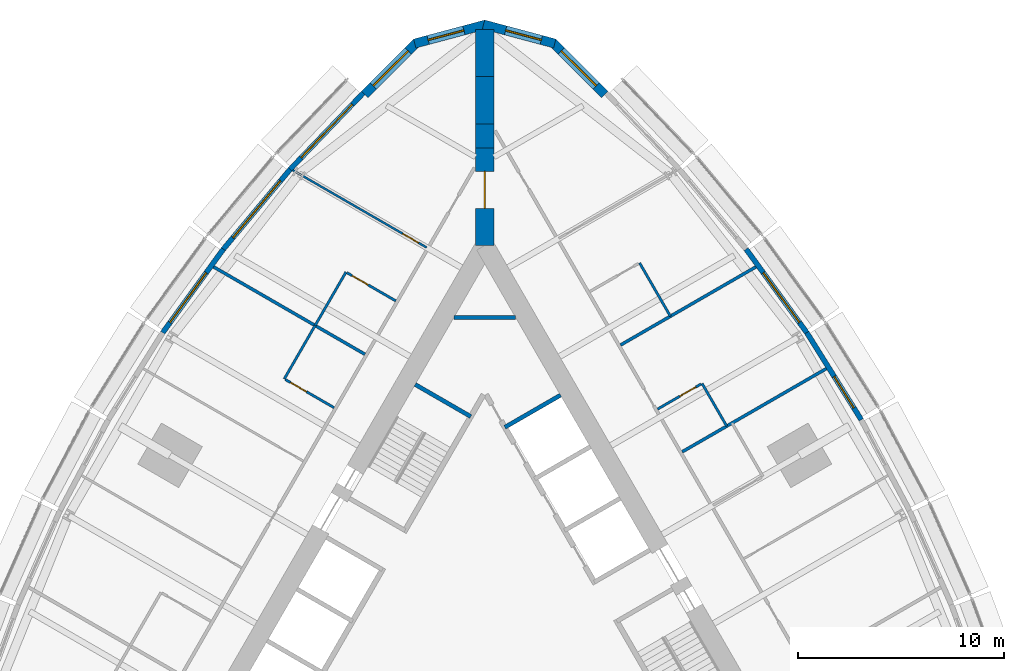
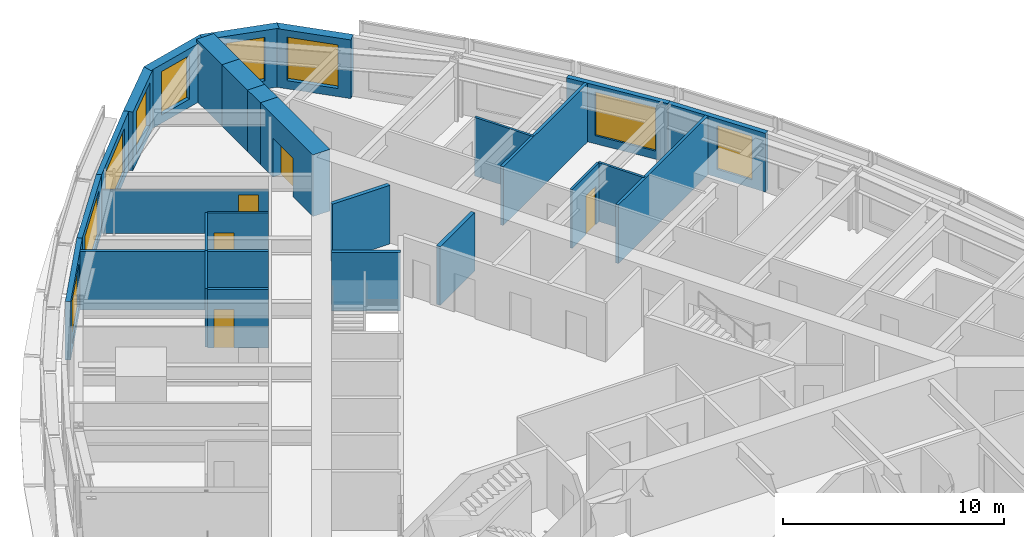
# One storey, part 12 of 14: 27 walls, 9 windows, 5 doors, 14 openings.
"""IFC4 building model written with IfcOpenShell, lengths in metres."""

from ifc_helpers import new_model, si_unit, direction, frame, frame_2d, origin, place, context, subcontext, project, spatial, polyline, rectangle, outline, extrude, material, layer, layer_set, type_object, element, fill, save


model = new_model("IFC4")

# Units and contexts
model_context = context("Model", 3, precision=1e-05, world=origin(), true_north=direction((0.0, 1.0)))
body_context = subcontext(model_context, "Body", "Model", "MODEL_VIEW")
ifc_project = project(units=[si_unit("LENGTHUNIT", "METRE"), si_unit("AREAUNIT", "SQUARE_METRE"), si_unit("VOLUMEUNIT", "CUBIC_METRE"), si_unit("PLANEANGLEUNIT", "RADIAN"), si_unit("MASSUNIT", "GRAM", prefix="KILO")], contexts=[model_context])

# Site, building, storey
site_placement = place(None, origin())
site = spatial("IfcSite", under=ifc_project, at=site_placement, CompositionType="ELEMENT")
building_placement = place(site_placement, origin())
building = spatial("IfcBuilding", under=site, at=building_placement, Name="Trikona Tower", CompositionType="ELEMENT")
storey_placement = place(building_placement, frame((0.0, 0.0, 165.699951171875)))
storey = spatial("IfcBuildingStorey", under=building, at=storey_placement, Name="L44", CompositionType="ELEMENT", Elevation=165.699951171875)

# Wall
ifc_material_1 = material(Name="Metal stud and cement board", Category="gypsum")
ifc_layer_1 = layer(ifc_material_1, 0.1201171875)
ifc_layer_set_1 = layer_set([ifc_layer_1], Name="Bathroom wall 120")
wall_type_1 = type_object("IfcWallType", Name="Bathroom wall 120", PredefinedType="PLUMBINGWALL", material=ifc_layer_set_1)
wall_1_placement = place(storey_placement, frame((11.77294921875, 10.26123046875, 0.0), z_axis=(0.0, 0.0, 1.0), x_axis=(-0.500001309137, 0.866024647952, 0.0)))
element("IfcWall", 1, at=wall_1_placement, inside=storey, type_object=wall_type_1, Name="Bathroom wall 4408", PredefinedType="PLUMBINGWALL", context=body_context, shape_type="SweptSolid", body=[
    extrude(rectangle(XDim=2.39990234375, YDim=0.1201171875, at=frame_2d((1.199951171875, 0.0))), origin(), (0.0, 0.0, 1.0), 3.235107421875),
])

# Wall, opening, door
wall_2_placement = place(storey_placement, frame((8.407958984375, 11.089599609375, 0.0), z_axis=(0.0, 0.0, 1.0), x_axis=(0.865980627057, 0.500077547548, 0.0)))
wall_2 = element("IfcWall", 2, at=wall_2_placement, inside=storey, type_object=wall_type_1, Name="Bathroom wall 4408", PredefinedType="PLUMBINGWALL", context=body_context, shape_type="SweptSolid", body=[
    extrude(rectangle(XDim=2.43994140625, YDim=0.1201171875, at=frame_2d((1.219970703125, 0.0))), origin(), (0.0, 0.0, 1.0), 3.235107421875),
])
opening_1_placement = place(wall_2_placement, frame((1.25, 0.0, 0.0)))
opening_1 = element("IfcOpeningElement", 3, at=opening_1_placement, cuts=wall_2, Name="Opening D2", PredefinedType="OPENING", context=body_context, shape_type="SweptSolid", body=[
    extrude(rectangle(XDim=0.89990234375, YDim=2.1298828125, at=frame_2d((0.449951171875, 1.06494140625))), frame((0.0, 0.070068359375, 0.0), z_axis=(0.0, -1.0, 0.0), x_axis=(1.0, 0.0, 0.0)), (0.0, 0.0, 1.0), 0.14013671875),
])
ifc_material_2 = material(Name="Steel door frame with solid-core timber leaf", Category="steel")
door_type_1 = type_object("IfcDoorType", Name="Bathroom door 900x2130", OperationType="SLIDING_TO_LEFT", PredefinedType="DOOR", material=ifc_material_2)
door_1_placement = place(opening_1_placement, origin())
door_1 = element("IfcDoor", 4, at=door_1_placement, inside=storey, type_object=door_type_1, Name="Bathroom door 4408", OperationType="SLIDING_TO_LEFT", OverallHeight=2.1298828125, OverallWidth=0.89990234375, PredefinedType="DOOR", context=body_context, shape_type="SweptSolid", body=[
    extrude(rectangle(XDim=0.89990234375, YDim=2.1298828125, at=frame_2d((0.449951171875, 1.06494140625))), frame((0.0, 0.02490234375, 0.0), z_axis=(0.0, -1.0, 0.0), x_axis=(1.0, 0.0, 0.0)), (0.0, 0.0, 1.0), 0.050048828125),
])
fill(opening_1, door_1)

# Walls
for number, where, z_axis, x_axis, name in (
    (5, (9.03271484375, 15.607421875, 0.0), (0.0, 0.0, 1.0), (-0.50002537861, 0.866010750942, 0.0), "Bathroom wall 4409.1"),
    (6, (-6.75341796875, 17.75537109375, 0.0), (0.0, 0.0, 1.0), (-0.50002537861, -0.866010750942, 0.0), "Bathroom wall 4410.1"),
):
    element("IfcWall", number, at=place(storey_placement, frame(where, z_axis=z_axis, x_axis=x_axis)), inside=storey, type_object=wall_type_1, Name=name, PredefinedType="PLUMBINGWALL", context=body_context, shape_type="SweptSolid", body=[
        extrude(rectangle(XDim=2.999755859375, YDim=0.1201171875, at=frame_2d((1.5, 0.0))), origin(), (0.0, 0.0, 1.0), 3.235107421875),
    ])

# Wall, opening, door
wall_3_placement = place(storey_placement, frame((-4.32861328125, 16.35546875, 0.0), z_axis=(0.0, 0.0, 1.0), x_axis=(-0.866035715982, 0.499982138324, 0.0)))
wall_3 = element("IfcWall", 7, at=wall_3_placement, inside=storey, type_object=wall_type_1, Name="Bathroom wall 4410.1", PredefinedType="PLUMBINGWALL", context=body_context, shape_type="SweptSolid", body=[
    extrude(rectangle(XDim=2.73974609375, YDim=0.1201171875, at=frame_2d((1.369873046875, 0.0))), origin(), (0.0, 0.0, 1.0), 3.235107421875),
])
opening_2_placement = place(wall_3_placement, frame((1.550048828125, 0.0, 0.0)))
opening_2 = element("IfcOpeningElement", 8, at=opening_2_placement, cuts=wall_3, Name="Opening D2", PredefinedType="OPENING", context=body_context, shape_type="SweptSolid", body=[
    extrude(rectangle(XDim=0.89990234375, YDim=2.1298828125, at=frame_2d((0.449951171875, 1.06494140625))), frame((0.0, 0.070068359375, 0.0), z_axis=(0.0, -1.0, 0.0), x_axis=(1.0, 0.0, 0.0)), (0.0, 0.0, 1.0), 0.14013671875),
])
door_2_placement = place(opening_2_placement, origin())
door_2 = element("IfcDoor", 9, at=door_2_placement, inside=storey, type_object=door_type_1, Name="Bathroom door 4410.1", OperationType="SLIDING_TO_LEFT", OverallHeight=2.1298828125, OverallWidth=0.89990234375, PredefinedType="DOOR", context=body_context, shape_type="SweptSolid", body=[
    extrude(rectangle(XDim=0.89990234375, YDim=2.1298828125, at=frame_2d((0.449951171875, 1.06494140625))), frame((0.0, 0.02490234375, 0.0), z_axis=(0.0, -1.0, 0.0), x_axis=(1.0, 0.0, 0.0)), (0.0, 0.0, 1.0), 0.050048828125),
])
fill(opening_2, door_2)

# Wall
wall_4_placement = place(storey_placement, frame((-8.25341796875, 15.157470703125, 0.0), z_axis=(0.0, 0.0, 1.0), x_axis=(-0.499990139034, -0.866031096941, 0.0)))
element("IfcWall", 10, at=wall_4_placement, inside=storey, type_object=wall_type_1, Name="Bathroom wall 4411.1", PredefinedType="PLUMBINGWALL", context=body_context, shape_type="SweptSolid", body=[
    extrude(rectangle(XDim=3.0, YDim=0.1201171875, at=frame_2d((1.5, 0.0))), origin(), (0.0, 0.0, 1.0), 3.235107421875),
])

# Wall, opening, door
wall_5_placement = place(storey_placement, frame((-7.32861328125, 11.1591796875, 0.0), z_axis=(0.0, 0.0, 1.0), x_axis=(-0.865997131366, 0.500048966069, 0.0)))
wall_5 = element("IfcWall", 11, at=wall_5_placement, inside=storey, type_object=wall_type_1, Name="Bathroom wall 4411.1", PredefinedType="PLUMBINGWALL", context=body_context, shape_type="SweptSolid", body=[
    extrude(rectangle(XDim=2.739990234375, YDim=0.1201171875, at=frame_2d((1.3701171875, 0.0))), origin(), (0.0, 0.0, 1.0), 3.235107421875),
])
opening_3_placement = place(wall_5_placement, frame((1.550048828125, 0.0, 0.0)))
opening_3 = element("IfcOpeningElement", 12, at=opening_3_placement, cuts=wall_5, Name="Opening D2", PredefinedType="OPENING", context=body_context, shape_type="SweptSolid", body=[
    extrude(rectangle(XDim=0.89990234375, YDim=2.1298828125, at=frame_2d((0.449951171875, 1.06494140625))), frame((0.0, 0.070068359375, 0.0), z_axis=(0.0, -1.0, 0.0), x_axis=(1.0, 0.0, 0.0)), (0.0, 0.0, 1.0), 0.14013671875),
])
door_3_placement = place(opening_3_placement, origin())
door_3 = element("IfcDoor", 13, at=door_3_placement, inside=storey, type_object=door_type_1, Name="Bathroom door 4411.1", OperationType="SLIDING_TO_LEFT", OverallHeight=2.1298828125, OverallWidth=0.89990234375, PredefinedType="DOOR", context=body_context, shape_type="SweptSolid", body=[
    extrude(rectangle(XDim=0.89990234375, YDim=2.1298828125, at=frame_2d((0.449951171875, 1.06494140625))), frame((0.0, 0.02490234375, 0.0), z_axis=(0.0, -1.0, 0.0), x_axis=(1.0, 0.0, 0.0)), (0.0, 0.0, 1.0), 0.050048828125),
])
fill(opening_3, door_3)

# Wall, opening, window
ifc_material_3 = material(Name="Brick-faced precast concrete", Category="masonry")
ifc_layer_2 = layer(ifc_material_3, 0.449951171875)
ifc_layer_set_2 = layer_set([ifc_layer_2], Name="Brick-faced corner wall 450")
wall_type_2 = type_object("IfcWallType", Name="Brick-faced corner wall 450", PredefinedType="SOLIDWALL", material=ifc_layer_set_2)
wall_6_placement = place(storey_placement, frame((5.8408203125, 26.39892578125, 0.0), z_axis=(0.0, 0.0, 1.0), x_axis=(-0.707106781187, 0.707106781187, 0.0)))
wall_6 = element("IfcWall", 14, at=wall_6_placement, inside=storey, type_object=wall_type_2, Name="External wall L44-20", PredefinedType="SOLIDWALL", context=body_context, shape_type="SweptSolid", body=[
    extrude(rectangle(XDim=3.586181640625, YDim=0.449951171875, at=frame_2d((1.79296875, 0.0))), origin(), (0.0, 0.0, 1.0), 3.235107421875),
])
opening_4_placement = place(wall_6_placement, frame((0.59326171875, 0.0, 0.449951171875)))
opening_4 = element("IfcOpeningElement", 15, at=opening_4_placement, cuts=wall_6, Name="Opening W2424", PredefinedType="OPENING", context=body_context, shape_type="SweptSolid", body=[
    extrude(rectangle(XDim=2.39990234375, YDim=2.39990234375, at=frame_2d((1.199951171875, 1.199951171875))), frame((0.0, 0.23486328125, 0.0), z_axis=(0.0, -1.0, 0.0), x_axis=(1.0, 0.0, 0.0)), (0.0, 0.0, 1.0), 0.469970703125),
])
ifc_material_4 = material(Name="Aluminium-framed double glazing", Category="aluminium")
window_type_1 = type_object("IfcWindowType", Name="Window 2400x2400", PartitioningType="SINGLE_PANEL", PredefinedType="WINDOW", material=ifc_material_4)
window_1_placement = place(opening_4_placement, origin())
window_1 = element("IfcWindow", 16, at=window_1_placement, inside=storey, type_object=window_type_1, Name="Window 4409", OverallHeight=2.39990234375, OverallWidth=2.39990234375, PartitioningType="SINGLE_PANEL", PredefinedType="WINDOW", context=body_context, shape_type="SweptSolid", body=[
    extrude(rectangle(XDim=2.39990234375, YDim=2.39990234375, at=frame_2d((1.199951171875, 1.199951171875))), frame((0.0, 0.030029296875, 0.0), z_axis=(0.0, -1.0, 0.0), x_axis=(1.0, 0.0, 0.0)), (0.0, 0.0, 1.0), 0.06005859375),
])
fill(opening_4, window_1)

wall_7_placement = place(storey_placement, frame((3.406005859375, 28.876708984375, 0.0), z_axis=(0.0, 0.0, 1.0), x_axis=(-0.965924653531, 0.258823421857, 0.0)))
wall_7 = element("IfcWall", 17, at=wall_7_placement, inside=storey, type_object=wall_type_2, Name="External wall L44-21", PredefinedType="SOLIDWALL", context=body_context, shape_type="SweptSolid", body=[
    extrude(outline(polyline([(3.58642578125, 0.22509765625), (3.526611328125, 0.22509765625), (3.035400390625, 0.09326171875), (3.0, 0.22509765625), (0.0, 0.22509765625), (0.0, -0.22509765625), (3.58642578125, -0.22509765625), (3.58642578125, 0.22509765625)])), origin(), (0.0, 0.0, 1.0), 3.235107421875),
])
opening_5_placement = place(wall_7_placement, frame((0.6748046875, 0.0, 0.449951171875)))
opening_5 = element("IfcOpeningElement", 18, at=opening_5_placement, cuts=wall_7, Name="Opening W1824", PredefinedType="OPENING", context=body_context, shape_type="SweptSolid", body=[
    extrude(rectangle(XDim=1.800048828125, YDim=2.39990234375, at=frame_2d((0.89990234375, 1.199951171875))), frame((0.0, 0.23486328125, 0.0), z_axis=(0.0, -1.0, 0.0), x_axis=(1.0, 0.0, 0.0)), (0.0, 0.0, 1.0), 0.469970703125),
])
ifc_material_5 = material(Name="Aluminium-framed double glazing", Category="aluminium")
window_type_2 = type_object("IfcWindowType", Name="Window 1800x2400", PartitioningType="SINGLE_PANEL", PredefinedType="WINDOW", material=ifc_material_5)
window_2_placement = place(opening_5_placement, origin())
window_2 = element("IfcWindow", 19, at=window_2_placement, inside=storey, type_object=window_type_2, Name="Window 4409", OverallHeight=2.39990234375, OverallWidth=1.800048828125, PartitioningType="SINGLE_PANEL", PredefinedType="WINDOW", context=body_context, shape_type="SweptSolid", body=[
    extrude(rectangle(XDim=1.800048828125, YDim=2.39990234375, at=frame_2d((0.89990234375, 1.199951171875))), frame((0.0, 0.030029296875, 0.0), z_axis=(0.0, -1.0, 0.0), x_axis=(1.0, 0.0, 0.0)), (0.0, 0.0, 1.0), 0.06005859375),
])
fill(opening_5, window_2)

wall_8_placement = place(storey_placement, frame((0.05810546875, 29.804931640625, 0.0), z_axis=(0.0, 0.0, 1.0), x_axis=(-0.965924653531, -0.258823421857, 0.0)))
wall_8 = element("IfcWall", 20, at=wall_8_placement, inside=storey, type_object=wall_type_2, Name="External wall L44-22", PredefinedType="SOLIDWALL", context=body_context, shape_type="SweptSolid", body=[
    extrude(outline(polyline([(3.58642578125, 0.22509765625), (0.58642578125, 0.22509765625), (0.551025390625, 0.09326171875), (0.0595703125, 0.22509765625), (0.0, 0.22509765625), (0.0, -0.22509765625), (3.58642578125, -0.22509765625), (3.58642578125, 0.22509765625)])), origin(), (0.0, 0.0, 1.0), 3.235107421875),
])
opening_6_placement = place(wall_8_placement, frame((1.111328125, 0.0, 0.449951171875)))
opening_6 = element("IfcOpeningElement", 21, at=opening_6_placement, cuts=wall_8, Name="Opening W1824", PredefinedType="OPENING", context=body_context, shape_type="SweptSolid", body=[
    extrude(rectangle(XDim=1.800048828125, YDim=2.39990234375, at=frame_2d((0.89990234375, 1.199951171875))), frame((0.0, 0.23486328125, 0.0), z_axis=(0.0, -1.0, 0.0), x_axis=(1.0, 0.0, 0.0)), (0.0, 0.0, 1.0), 0.469970703125),
])
window_3_placement = place(opening_6_placement, origin())
window_3 = element("IfcWindow", 22, at=window_3_placement, inside=storey, type_object=window_type_2, Name="Window 4410", OverallHeight=2.39990234375, OverallWidth=1.800048828125, PartitioningType="SINGLE_PANEL", PredefinedType="WINDOW", context=body_context, shape_type="SweptSolid", body=[
    extrude(rectangle(XDim=1.800048828125, YDim=2.39990234375, at=frame_2d((0.89990234375, 1.199951171875))), frame((0.0, 0.030029296875, 0.0), z_axis=(0.0, -1.0, 0.0), x_axis=(1.0, 0.0, 0.0)), (0.0, 0.0, 1.0), 0.06005859375),
])
fill(opening_6, window_3)

wall_9_placement = place(storey_placement, frame((-3.304931640625, 28.934814453125, 0.0), z_axis=(0.0, 0.0, 1.0), x_axis=(-0.707106781187, -0.707106781187, 0.0)))
wall_9 = element("IfcWall", 23, at=wall_9_placement, inside=storey, type_object=wall_type_2, Name="External wall L44-23", PredefinedType="SOLIDWALL", context=body_context, shape_type="SweptSolid", body=[
    extrude(rectangle(XDim=3.586181640625, YDim=0.449951171875, at=frame_2d((1.79296875, 0.0))), origin(), (0.0, 0.0, 1.0), 3.235107421875),
])
opening_7_placement = place(wall_9_placement, frame((0.59326171875, 0.0, 0.449951171875)))
opening_7 = element("IfcOpeningElement", 24, at=opening_7_placement, cuts=wall_9, Name="Opening W2424", PredefinedType="OPENING", context=body_context, shape_type="SweptSolid", body=[
    extrude(rectangle(XDim=2.39990234375, YDim=2.39990234375, at=frame_2d((1.199951171875, 1.199951171875))), frame((0.0, 0.23486328125, 0.0), z_axis=(0.0, -1.0, 0.0), x_axis=(1.0, 0.0, 0.0)), (0.0, 0.0, 1.0), 0.469970703125),
])
window_4_placement = place(opening_7_placement, origin())
window_4 = element("IfcWindow", 25, at=window_4_placement, inside=storey, type_object=window_type_1, Name="Window 4410", OverallHeight=2.39990234375, OverallWidth=2.39990234375, PartitioningType="SINGLE_PANEL", PredefinedType="WINDOW", context=body_context, shape_type="SweptSolid", body=[
    extrude(rectangle(XDim=2.39990234375, YDim=2.39990234375, at=frame_2d((1.199951171875, 1.199951171875))), frame((0.0, 0.030029296875, 0.0), z_axis=(0.0, -1.0, 0.0), x_axis=(1.0, 0.0, 0.0)), (0.0, 0.0, 1.0), 0.06005859375),
])
fill(opening_7, window_4)

# Wall, opening, door
ifc_material_6 = material(Name="Concrete f'c 10000 psi", Category="concrete")
ifc_layer_3 = layer(ifc_material_6, 0.89990234375)
ifc_layer_set_3 = layer_set([ifc_layer_3], Name="Buttress wall 900")
wall_type_3 = type_object("IfcWallType", Name="Buttress wall 900", PredefinedType="SHEAR", material=ifc_layer_set_3)
wall_10_placement = place(storey_placement, frame((0.0, 19.052490234375, 0.0), z_axis=(0.0, 0.0, 1.0), x_axis=(0.0, 1.0, 0.0)))
wall_10 = element("IfcWall", 26, at=wall_10_placement, inside=storey, type_object=wall_type_3, Name="Buttress wall 2", PredefinedType="SHEAR", context=body_context, shape_type="SweptSolid", body=[
    extrude(rectangle(XDim=4.74609375, YDim=0.89990234375, at=frame_2d((2.373046875, 0.0))), origin(), (0.0, 0.0, 1.0), 3.400146484375),
])
opening_8_placement = place(wall_10_placement, frame((1.800048828125, 0.0, 0.0)))
opening_8 = element("IfcOpeningElement", 27, at=opening_8_placement, cuts=wall_10, Name="Opening D10", PredefinedType="OPENING", context=body_context, shape_type="SweptSolid", body=[
    extrude(rectangle(XDim=1.800048828125, YDim=2.1298828125, at=frame_2d((0.89990234375, 1.06494140625))), frame((0.0, 0.4599609375, 0.0), z_axis=(0.0, -1.0, 0.0), x_axis=(1.0, 0.0, 0.0)), (0.0, 0.0, 1.0), 0.919921875),
])
ifc_material_7 = material(Name="Hollow metal door and frame", Category="steel")
door_type_2 = type_object("IfcDoorType", Name="Cross-corridor door pair 1800x2130", OperationType="DOUBLE_DOOR_DOUBLE_SWING", PredefinedType="DOOR", material=ifc_material_7)
door_4_placement = place(opening_8_placement, origin())
door_4 = element("IfcDoor", 28, at=door_4_placement, inside=storey, type_object=door_type_2, Name="Cross-corridor door 2", OperationType="DOUBLE_DOOR_DOUBLE_SWING", OverallHeight=2.1298828125, OverallWidth=1.800048828125, PredefinedType="DOOR", context=body_context, shape_type="SweptSolid", body=[
    extrude(rectangle(XDim=1.800048828125, YDim=2.1298828125, at=frame_2d((0.89990234375, 1.06494140625))), frame((0.0, 0.02490234375, 0.0), z_axis=(0.0, -1.0, 0.0), x_axis=(1.0, 0.0, 0.0)), (0.0, 0.0, 1.0), 0.050048828125),
])
fill(opening_8, door_4)

# Walls
wall_11_placement = place(storey_placement, frame((0.0, 23.798583984375, 0.0), z_axis=(0.0, 0.0, 1.0), x_axis=(0.0, 1.0, 0.0)))
element("IfcWall", 29, at=wall_11_placement, inside=storey, type_object=wall_type_3, Name="Buttress wall 2 part 2", PredefinedType="SHEAR", context=body_context, shape_type="SweptSolid", body=[
    extrude(rectangle(XDim=1.15478515625, YDim=0.89990234375, at=frame_2d((0.577392578125, 0.0))), origin(), (0.0, 0.0, 1.0), 3.400146484375),
])
wall_12_placement = place(storey_placement, frame((0.0, 24.953369140625, 0.0), z_axis=(0.0, 0.0, 1.0), x_axis=(0.0, 1.0, 0.0)))
element("IfcWall", 30, at=wall_12_placement, inside=storey, type_object=wall_type_3, Name="Buttress wall 2 part 3", PredefinedType="SHEAR", context=body_context, shape_type="SweptSolid", body=[
    extrude(rectangle(XDim=2.309326171875, YDim=0.89990234375, at=frame_2d((1.15478515625, 0.0))), origin(), (0.0, 0.0, 1.0), 3.400146484375),
])
wall_13_placement = place(storey_placement, frame((0.0, 27.2626953125, 0.0), z_axis=(0.0, 0.0, 1.0), x_axis=(0.0, 1.0, 0.0)))
element("IfcWall", 31, at=wall_13_placement, inside=storey, type_object=wall_type_3, Name="Buttress wall 2 part 4", PredefinedType="SHEAR", context=body_context, shape_type="SweptSolid", body=[
    extrude(rectangle(XDim=2.3095703125, YDim=0.89990234375, at=frame_2d((1.15478515625, 0.0))), origin(), (0.0, 0.0, 1.0), 3.400146484375),
])

# Wall, opening, window
ifc_material_8 = material(Name="Insulated precast concrete spandrel panel", Category="concrete")
ifc_layer_4 = layer(ifc_material_8, 0.25)
ifc_layer_set_4 = layer_set([ifc_layer_4], Name="Inner skin wall 250")
wall_type_4 = type_object("IfcWallType", Name="Inner skin wall 250", PredefinedType="STANDARD", material=ifc_layer_set_4)
wall_14_placement = place(storey_placement, frame((18.31884765625, 10.5712890625, 0.0), z_axis=(0.0, 0.0, 1.0), x_axis=(-0.529990167382, 0.84800378683, 0.0)))
wall_14 = element("IfcWall", 32, at=wall_14_placement, inside=storey, type_object=wall_type_4, Name="External wall L44-16", PredefinedType="STANDARD", context=body_context, shape_type="SweptSolid", body=[
    extrude(rectangle(XDim=5.003173828125, YDim=0.25, at=frame_2d((2.50146484375, 0.0))), origin(), (0.0, 0.0, 1.0), 3.235107421875),
])
opening_9_placement = place(wall_14_placement, frame((0.683837890625, 0.0, 0.449951171875)))
opening_9 = element("IfcOpeningElement", 33, at=opening_9_placement, cuts=wall_14, Name="Opening W1824", PredefinedType="OPENING", context=body_context, shape_type="SweptSolid", body=[
    extrude(rectangle(XDim=1.800048828125, YDim=2.39990234375, at=frame_2d((0.89990234375, 1.199951171875))), frame((0.0, 0.135009765625, 0.0), z_axis=(0.0, -1.0, 0.0), x_axis=(1.0, 0.0, 0.0)), (0.0, 0.0, 1.0), 0.27001953125),
])
window_5_placement = place(opening_9_placement, origin())
window_5 = element("IfcWindow", 34, at=window_5_placement, inside=storey, type_object=window_type_2, Name="Window 4407.1", OverallHeight=2.39990234375, OverallWidth=1.800048828125, PartitioningType="SINGLE_PANEL", PredefinedType="WINDOW", context=body_context, shape_type="SweptSolid", body=[
    extrude(rectangle(XDim=1.800048828125, YDim=2.39990234375, at=frame_2d((0.89990234375, 1.199951171875))), frame((0.0, 0.030029296875, 0.0), z_axis=(0.0, -1.0, 0.0), x_axis=(1.0, 0.0, 0.0)), (0.0, 0.0, 1.0), 0.06005859375),
])
fill(opening_9, window_5)

wall_15_placement = place(storey_placement, frame((15.672119140625, 14.806640625, 0.0), z_axis=(0.0, 0.0, 1.0), x_axis=(-0.587669188412, 0.809101307001, 0.0)))
wall_15 = element("IfcWall", 35, at=wall_15_placement, inside=storey, type_object=wall_type_4, Name="External wall L44-17", PredefinedType="STANDARD", context=body_context, shape_type="SweptSolid", body=[
    extrude(rectangle(XDim=5.027587890625, YDim=0.25, at=frame_2d((2.513671875, 0.0))), origin(), (0.0, 0.0, 1.0), 3.235107421875),
])
opening_10_placement = place(wall_15_placement, frame((0.609619140625, 0.0, 0.449951171875)))
opening_10 = element("IfcOpeningElement", 36, at=opening_10_placement, cuts=wall_15, Name="Opening W3024", PredefinedType="OPENING", context=body_context, shape_type="SweptSolid", body=[
    extrude(rectangle(XDim=3.0, YDim=2.39990234375, at=frame_2d((1.5, 1.199951171875))), frame((0.0, 0.135009765625, 0.0), z_axis=(0.0, -1.0, 0.0), x_axis=(1.0, 0.0, 0.0)), (0.0, 0.0, 1.0), 0.27001953125),
])
ifc_material_9 = material(Name="Aluminium-framed double glazing", Category="aluminium")
window_type_3 = type_object("IfcWindowType", Name="Window 3000x2400", PartitioningType="SINGLE_PANEL", PredefinedType="WINDOW", material=ifc_material_9)
window_6_placement = place(opening_10_placement, origin())
window_6 = element("IfcWindow", 37, at=window_6_placement, inside=storey, type_object=window_type_3, Name="Window 4408", OverallHeight=2.39990234375, OverallWidth=3.0, PartitioningType="SINGLE_PANEL", PredefinedType="WINDOW", context=body_context, shape_type="SweptSolid", body=[
    extrude(rectangle(XDim=3.0, YDim=2.39990234375, at=frame_2d((1.5, 1.199951171875))), frame((0.0, 0.030029296875, 0.0), z_axis=(0.0, -1.0, 0.0), x_axis=(1.0, 0.0, 0.0)), (0.0, 0.0, 1.0), 0.06005859375),
])
fill(opening_10, window_6)

wall_16_placement = place(storey_placement, frame((-5.90966796875, 26.4716796875, 0.0), z_axis=(0.0, 0.0, 1.0), x_axis=(-0.691719937936, -0.722165858693, 0.0)))
wall_16 = element("IfcWall", 38, at=wall_16_placement, inside=storey, type_object=wall_type_4, Name="External wall L44-24", PredefinedType="STANDARD", context=body_context, shape_type="SweptSolid", body=[
    extrude(rectangle(XDim=5.148193359375, YDim=0.25, at=frame_2d((2.57421875, 0.0))), origin(), (0.0, 0.0, 1.0), 3.235107421875),
])
opening_11_placement = place(wall_16_placement, frame((0.77392578125, 0.0, 0.449951171875)))
opening_11 = element("IfcOpeningElement", 39, at=opening_11_placement, cuts=wall_16, Name="Opening W3624", PredefinedType="OPENING", context=body_context, shape_type="SweptSolid", body=[
    extrude(rectangle(XDim=3.60009765625, YDim=2.39990234375, at=frame_2d((1.800048828125, 1.199951171875))), frame((0.0, 0.135009765625, 0.0), z_axis=(0.0, -1.0, 0.0), x_axis=(1.0, 0.0, 0.0)), (0.0, 0.0, 1.0), 0.27001953125),
])
ifc_material_10 = material(Name="Aluminium-framed double glazing", Category="aluminium")
window_type_4 = type_object("IfcWindowType", Name="Window 3600x2400", PartitioningType="SINGLE_PANEL", PredefinedType="WINDOW", material=ifc_material_10)
window_7_placement = place(opening_11_placement, origin())
window_7 = element("IfcWindow", 40, at=window_7_placement, inside=storey, type_object=window_type_4, Name="Window 4410", OverallHeight=2.39990234375, OverallWidth=3.60009765625, PartitioningType="SINGLE_PANEL", PredefinedType="WINDOW", context=body_context, shape_type="SweptSolid", body=[
    extrude(rectangle(XDim=3.60009765625, YDim=2.39990234375, at=frame_2d((1.800048828125, 1.199951171875))), frame((0.0, 0.030029296875, 0.0), z_axis=(0.0, -1.0, 0.0), x_axis=(1.0, 0.0, 0.0)), (0.0, 0.0, 1.0), 0.06005859375),
])
fill(opening_11, window_7)

wall_17_placement = place(storey_placement, frame((-9.465087890625, 22.76025390625, 0.0), z_axis=(0.0, 0.0, 1.0), x_axis=(-0.641810386606, -0.766863369607, 0.0)))
wall_17 = element("IfcWall", 41, at=wall_17_placement, inside=storey, type_object=wall_type_4, Name="External wall L44-25", PredefinedType="STANDARD", context=body_context, shape_type="SweptSolid", body=[
    extrude(rectangle(XDim=5.075927734375, YDim=0.25, at=frame_2d((2.5380859375, 0.0))), origin(), (0.0, 0.0, 1.0), 3.235107421875),
])
opening_12_placement = place(wall_17_placement, frame((0.738037109375, 0.0, 0.449951171875)))
opening_12 = element("IfcOpeningElement", 42, at=opening_12_placement, cuts=wall_17, Name="Opening W3624", PredefinedType="OPENING", context=body_context, shape_type="SweptSolid", body=[
    extrude(rectangle(XDim=3.60009765625, YDim=2.39990234375, at=frame_2d((1.800048828125, 1.199951171875))), frame((0.0, 0.135009765625, 0.0), z_axis=(0.0, -1.0, 0.0), x_axis=(1.0, 0.0, 0.0)), (0.0, 0.0, 1.0), 0.27001953125),
])
window_8_placement = place(opening_12_placement, origin())
window_8 = element("IfcWindow", 43, at=window_8_placement, inside=storey, type_object=window_type_4, Name="Window 4410.1", OverallHeight=2.39990234375, OverallWidth=3.60009765625, PartitioningType="SINGLE_PANEL", PredefinedType="WINDOW", context=body_context, shape_type="SweptSolid", body=[
    extrude(rectangle(XDim=3.60009765625, YDim=2.39990234375, at=frame_2d((1.800048828125, 1.199951171875))), frame((0.0, 0.030029296875, 0.0), z_axis=(0.0, -1.0, 0.0), x_axis=(1.0, 0.0, 0.0)), (0.0, 0.0, 1.0), 0.06005859375),
])
fill(opening_12, window_8)

wall_18_placement = place(storey_placement, frame((-12.717529296875, 18.87451171875, 0.0), z_axis=(0.0, 0.0, 1.0), x_axis=(-0.587669188412, -0.809101307001, 0.0)))
wall_18 = element("IfcWall", 44, at=wall_18_placement, inside=storey, type_object=wall_type_4, Name="External wall L44-26", PredefinedType="STANDARD", context=body_context, shape_type="SweptSolid", body=[
    extrude(rectangle(XDim=5.027587890625, YDim=0.25, at=frame_2d((2.513671875, 0.0))), origin(), (0.0, 0.0, 1.0), 3.235107421875),
])
opening_13_placement = place(wall_18_placement, frame((1.41796875, 0.0, 0.449951171875)))
opening_13 = element("IfcOpeningElement", 45, at=opening_13_placement, cuts=wall_18, Name="Opening W3024", PredefinedType="OPENING", context=body_context, shape_type="SweptSolid", body=[
    extrude(rectangle(XDim=3.0, YDim=2.39990234375, at=frame_2d((1.5, 1.199951171875))), frame((0.0, 0.135009765625, 0.0), z_axis=(0.0, -1.0, 0.0), x_axis=(1.0, 0.0, 0.0)), (0.0, 0.0, 1.0), 0.27001953125),
])
window_9_placement = place(opening_13_placement, origin())
window_9 = element("IfcWindow", 46, at=window_9_placement, inside=storey, type_object=window_type_3, Name="Window 4411.1", OverallHeight=2.39990234375, OverallWidth=3.0, PartitioningType="SINGLE_PANEL", PredefinedType="WINDOW", context=body_context, shape_type="SweptSolid", body=[
    extrude(rectangle(XDim=3.0, YDim=2.39990234375, at=frame_2d((1.5, 1.199951171875))), frame((0.0, 0.030029296875, 0.0), z_axis=(0.0, -1.0, 0.0), x_axis=(1.0, 0.0, 0.0)), (0.0, 0.0, 1.0), 0.06005859375),
])
fill(opening_13, window_9)

# Walls
ifc_material_11 = material(Name="Metal stud and gypsum board, 1-hour acoustic", Category="gypsum")
ifc_layer_5 = layer(ifc_material_11, 0.14990234375)
ifc_layer_set_5 = layer_set([ifc_layer_5], Name="Party wall 150")
wall_type_5 = type_object("IfcWallType", Name="Party wall 150", PredefinedType="PARTITIONING", material=ifc_layer_set_5)
wall_19_placement = place(storey_placement, frame((9.60791015625, 9.01123046875, 0.0), z_axis=(0.0, 0.0, 1.0), x_axis=(0.866021827868, 0.500006193617, 0.0)))
element("IfcWall", 47, at=wall_19_placement, inside=storey, type_object=wall_type_5, Name="Partition L44 F2 u3", PredefinedType="PARTITIONING", context=body_context, shape_type="SweptSolid", body=[
    extrude(rectangle(XDim=8.09375, YDim=0.14990234375, at=frame_2d((4.046875, 0.0))), origin(), (0.0, 0.0, 1.0), 3.235107421875),
])
wall_20_placement = place(storey_placement, frame((6.60791015625, 14.20751953125, 0.0), z_axis=(0.0, 0.0, 1.0), x_axis=(0.866025154315, 0.500000432093, 0.0)))
element("IfcWall", 48, at=wall_20_placement, inside=storey, type_object=wall_type_5, Name="Partition L44 F2 u9", PredefinedType="PARTITIONING", context=body_context, shape_type="SweptSolid", body=[
    extrude(rectangle(XDim=7.6025390625, YDim=0.14990234375, at=frame_2d((3.80126953125, 0.0))), origin(), (0.0, 0.0, 1.0), 3.235107421875),
])
wall_21_placement = place(storey_placement, frame((-5.82861328125, 13.75732421875, 0.0), z_axis=(0.0, 0.0, 1.0), x_axis=(-0.866011529155, 0.500024030793, 0.0)))
element("IfcWall", 49, at=wall_21_placement, inside=storey, type_object=wall_type_5, Name="Partition L44 F3 u-9", PredefinedType="PARTITIONING", context=body_context, shape_type="SweptSolid", body=[
    extrude(rectangle(XDim=8.50244140625, YDim=0.14990234375, at=frame_2d((4.251220703125, 0.0))), origin(), (0.0, 0.0, 1.0), 3.235107421875),
])
ifc_material_12 = material(Name="Concrete f'c 8000 psi", Category="concrete")
ifc_layer_6 = layer(ifc_material_12, 0.199951171875)
ifc_layer_set_6 = layer_set([ifc_layer_6], Name="Shaft wall 200")
wall_type_6 = type_object("IfcWallType", Name="Shaft wall 200", PredefinedType="SOLIDWALL", material=ifc_layer_set_6)
wall_22_placement = place(storey_placement, frame((0.97900390625, 10.20703125, 0.0), z_axis=(0.0, 0.0, 1.0), x_axis=(0.866022959057, 0.500004234368, 0.0)))
element("IfcWall", 50, at=wall_22_placement, inside=storey, type_object=wall_type_6, Name="Shaft wall B6", PredefinedType="SOLIDWALL", context=body_context, shape_type="SweptSolid", body=[
    extrude(rectangle(XDim=3.125, YDim=0.199951171875, at=frame_2d((1.5625, 0.0))), origin(), (0.0, 0.0, 1.0), 3.235107421875),
])
wall_23_placement = place(storey_placement, frame((-1.501220703125, 15.552490234375, 0.0), z_axis=(0.0, 0.0, 1.0), x_axis=(1.0, 0.0, 0.0)))
element("IfcWall", 51, at=wall_23_placement, inside=storey, type_object=wall_type_6, Name="Riser wall L44-RS2", PredefinedType="SOLIDWALL", context=body_context, shape_type="SweptSolid", body=[
    extrude(rectangle(XDim=3.00244140625, YDim=0.199951171875, at=frame_2d((1.501220703125, 0.0))), origin(), (0.0, 0.0, 1.0), 3.235107421875),
])
ifc_material_13 = material(Name="Concrete f'c 8000 psi", Category="concrete")
ifc_layer_7 = layer(ifc_material_13, 0.199951171875)
ifc_layer_set_7 = layer_set([ifc_layer_7], Name="Shaft wall 200 load-bearing")
wall_type_7 = type_object("IfcWallType", Name="Shaft wall 200 load-bearing", PredefinedType="SOLIDWALL", material=ifc_layer_set_7)
wall_24_placement = place(storey_placement, frame((-0.678955078125, 10.7265625, 0.0), z_axis=(0.0, 0.0, 1.0), x_axis=(-0.866022959057, 0.500004234368, 0.0)))
element("IfcWall", 52, at=wall_24_placement, inside=storey, type_object=wall_type_7, Name="Shaft wall C1", PredefinedType="SOLIDWALL", context=body_context, shape_type="SweptSolid", body=[
    extrude(rectangle(XDim=3.125, YDim=0.199951171875, at=frame_2d((1.5625, 0.0))), origin(), (0.0, 0.0, 1.0), 3.235107421875),
])

# Wall, opening, door
ifc_material_14 = material(Name="Metal stud and gypsum board, acoustic", Category="gypsum")
ifc_layer_8 = layer(ifc_material_14, 0.10009765625)
ifc_layer_set_8 = layer_set([ifc_layer_8], Name="Suite partition 100")
wall_type_8 = type_object("IfcWallType", Name="Suite partition 100", PredefinedType="PARTITIONING", material=ifc_layer_set_8)
wall_25_placement = place(storey_placement, frame((-2.82861328125, 18.95361328125, 0.0), z_axis=(0.0, 0.0, 1.0), x_axis=(-0.866015739374, 0.500016738876, 0.0)))
wall_25 = element("IfcWall", 53, at=wall_25_placement, inside=storey, type_object=wall_type_8, Name="Suite partition L44 F3 u-15", PredefinedType="PARTITIONING", context=body_context, shape_type="SweptSolid", body=[
    extrude(rectangle(XDim=7.516357421875, YDim=0.10009765625, at=frame_2d((3.75830078125, 0.0))), origin(), (0.0, 0.0, 1.0), 2.38916015625),
])
opening_14_placement = place(wall_25_placement, frame((0.449951171875, 0.0, 0.0)))
opening_14 = element("IfcOpeningElement", 54, at=opening_14_placement, cuts=wall_25, Name="Opening D13", PredefinedType="OPENING", context=body_context, shape_type="SweptSolid", body=[
    extrude(rectangle(XDim=0.89990234375, YDim=2.1298828125, at=frame_2d((0.449951171875, 1.06494140625))), frame((0.0, 0.06005859375, 0.0), z_axis=(0.0, -1.0, 0.0), x_axis=(1.0, 0.0, 0.0)), (0.0, 0.0, 1.0), 0.1201171875),
])
ifc_material_15 = material(Name="Steel door frame with solid-core timber leaf", Category="steel")
door_type_3 = type_object("IfcDoorType", Name="Suite door 900x2130", OperationType="SINGLE_SWING_LEFT", PredefinedType="DOOR", material=ifc_material_15)
door_5_placement = place(opening_14_placement, origin())
door_5 = element("IfcDoor", 55, at=door_5_placement, inside=storey, type_object=door_type_3, Name="Suite door 4410", OperationType="SINGLE_SWING_LEFT", OverallHeight=2.1298828125, OverallWidth=0.89990234375, PredefinedType="DOOR", context=body_context, shape_type="SweptSolid", body=[
    extrude(rectangle(XDim=0.89990234375, YDim=2.1298828125, at=frame_2d((0.449951171875, 1.06494140625))), frame((0.0, 0.02490234375, 0.0), z_axis=(0.0, -1.0, 0.0), x_axis=(1.0, 0.0, 0.0)), (0.0, 0.0, 1.0), 0.050048828125),
])
fill(opening_14, door_5)

save(model, "model.ifc")
